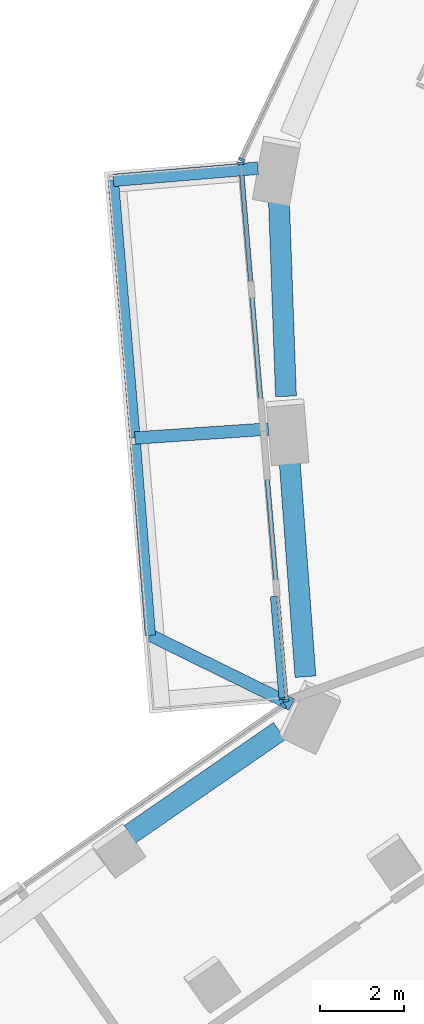
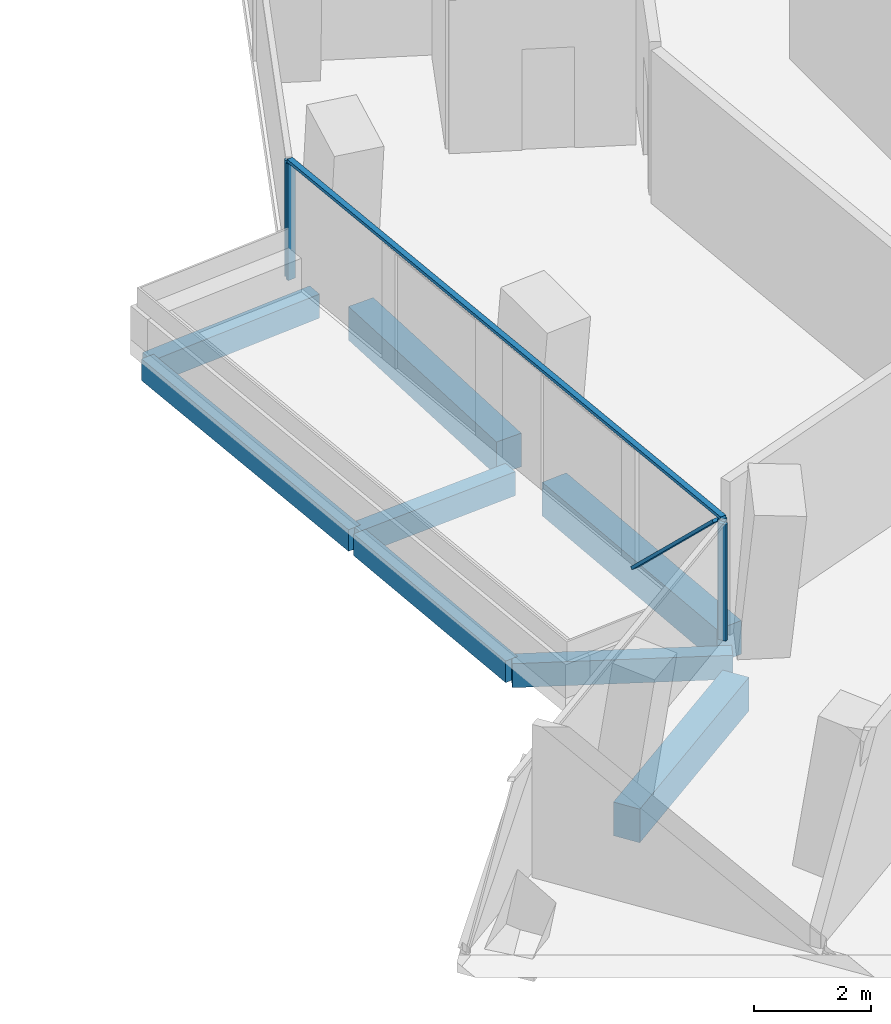
# One storey, part 4 of 26: 8 beams, 6 members, 3 elements without a shape of their own.
"""IFC4 building model written with IfcOpenShell, lengths in metres."""

from ifc_helpers import new_model, si_unit, direction, frame, origin, origin_2d, place, context, subcontext, project, spatial, rectangle, extrude, material, layer, layer_set, material_profile, profile_set, type_object, element, aggregate, save


model = new_model("IFC4")

# Units and contexts
model_context = context("Model", 3, precision=1e-05, world=origin(), true_north=direction((0.0, 1.0)))
body_context = subcontext(model_context, "Body", "Model", "MODEL_VIEW")
ifc_project = project(units=[si_unit("LENGTHUNIT", "METRE"), si_unit("AREAUNIT", "SQUARE_METRE"), si_unit("VOLUMEUNIT", "CUBIC_METRE"), si_unit("PLANEANGLEUNIT", "RADIAN"), si_unit("MASSUNIT", "GRAM", prefix="KILO")], contexts=[model_context])

# Site, building, storey
site_placement = place(None, origin())
site = spatial("IfcSite", under=ifc_project, at=site_placement, CompositionType="ELEMENT")
building_placement = place(site_placement, origin())
building = spatial("IfcBuilding", under=site, at=building_placement, Name="Verdalira Terraces Hotel", CompositionType="ELEMENT")
storey_placement = place(building_placement, frame((0.0, 0.0, 53.0)))
storey = spatial("IfcBuildingStorey", under=building, at=storey_placement, Name="L11", CompositionType="ELEMENT", Elevation=53.0)

# Beams
ifc_material_1 = material(Name="Concrete C40", Category="concrete")
ifc_material_profile_1 = material_profile(ifc_material_1, rectangle(XDim=0.300049, YDim=0.5, at=origin_2d()), Name="RC 300X500")
ifc_profile_set_1 = profile_set([ifc_material_profile_1], Name="Concrete C40")
beam_type_1 = type_object("IfcBeamType", Name="Balcony cantilever beam RC 300X500 C40", PredefinedType="BEAM", material=ifc_profile_set_1)
beam_1_placement = place(storey_placement, frame((-24.229248, 4.272949, -0.560059), z_axis=(-0.996492203, -0.083685654, 0.0), x_axis=(0.083685654, -0.996492203, 0.0)))
element("IfcBeam", 1, at=beam_1_placement, inside=storey, type_object=beam_type_1, Name="Balcony cantilever beam R13-1", PredefinedType="BEAM", context=body_context, shape_type="SweptSolid", body=[
    extrude(rectangle(XDim=0.300049, YDim=0.5, at=origin_2d()), origin(), (0.0, 0.0, 1.0), 3.47168),
])
beam_2_placement = place(storey_placement, frame((-23.977295, -1.970703, -0.560059), z_axis=(-0.997755019, -0.066969567, 0.0), x_axis=(0.066969567, -0.997755019, 0.0)))
element("IfcBeam", 2, at=beam_2_placement, inside=storey, type_object=beam_type_1, Name="Balcony cantilever beam R13-2", PredefinedType="BEAM", context=body_context, shape_type="SweptSolid", body=[
    extrude(rectangle(XDim=0.300049, YDim=0.5, at=origin_2d()), origin(), (0.0, 0.0, 1.0), 3.200684),
])
beam_3_placement = place(storey_placement, frame((-23.419189, -8.569336, -0.560059), z_axis=(-0.897578156, 0.440855365, 0.0), x_axis=(-0.440855365, -0.897578156, 0.0)))
element("IfcBeam", 3, at=beam_3_placement, inside=storey, type_object=beam_type_1, Name="Balcony cantilever beam R13-3", PredefinedType="BEAM", context=body_context, shape_type="SweptSolid", body=[
    extrude(rectangle(XDim=0.300049, YDim=0.5, at=origin_2d()), origin(), (0.0, 0.0, 1.0), 3.769531),
])
ifc_material_2 = material(Name="Concrete C40", Category="concrete")
ifc_material_profile_2 = material_profile(ifc_material_2, rectangle(XDim=0.25, YDim=0.449951, at=origin_2d()), Name="RC 250X450")
ifc_profile_set_2 = profile_set([ifc_material_profile_2], Name="Concrete C40")
beam_type_2 = type_object("IfcBeamType", Name="Balcony edge beam RC 250X450 C40", PredefinedType="BEAM", material=ifc_profile_set_2)
beam_4_placement = place(storey_placement, frame((-27.688721, 3.982422, -0.534912), z_axis=(0.083665724, -0.996493877, 0.0), x_axis=(0.996493877, 0.083665724, 0.0)))
element("IfcBeam", 4, at=beam_4_placement, inside=storey, type_object=beam_type_2, Name="Balcony edge beam R13-1", PredefinedType="BEAM", context=body_context, shape_type="SweptSolid", body=[
    extrude(rectangle(XDim=0.25, YDim=0.449951, at=origin_2d()), origin(), (0.0, 0.0, 1.0), 6.189209),
])
beam_5_placement = place(storey_placement, frame((-27.15918, -2.334717, -0.534912), z_axis=(0.077714069, -0.996975689, 0.0), x_axis=(0.996975689, 0.077714069, 0.0)))
element("IfcBeam", 5, at=beam_5_placement, inside=storey, type_object=beam_type_2, Name="Balcony edge beam R13-2", PredefinedType="BEAM", context=body_context, shape_type="SweptSolid", body=[
    extrude(rectangle(XDim=0.25, YDim=0.449951, at=origin_2d()), origin(), (0.0, 0.0, 1.0), 4.58667),
])

# Curtain wall, member
ifc_material_3 = material(Name="Clear glass", Category="glass")
ifc_layer_1 = layer(ifc_material_3, 0.14990234375)
ifc_layer_set_1 = layer_set([ifc_layer_1], Name="CW1 curtain wall")
curtain_wall_type_1 = type_object("IfcCurtainWallType", Name="CW1 curtain wall", PredefinedType="NOTDEFINED", material=ifc_layer_set_1)
curtain_wall_1_placement = place(storey_placement, origin())
curtain_wall_1 = element("IfcCurtainWall", 6, at=curtain_wall_1_placement, inside=storey, type_object=curtain_wall_type_1, Name="CW1 curtain wall L11 edge 12", PredefinedType="NOTDEFINED")
ifc_material_4 = material(Name="Terracotta frame", Category="masonry")
ifc_material_profile_3 = material_profile(ifc_material_4, rectangle(XDim=0.060059, YDim=0.149902, at=origin_2d()), Name="MU 60x150")
ifc_profile_set_3 = profile_set([ifc_material_profile_3], Name="Terracotta frame")
member_type_1 = type_object("IfcMemberType", Name="CW1 mullion 60x150", PredefinedType="MULLION", material=ifc_profile_set_3)
member_1_placement = place(storey_placement, frame((-24.619385, 4.479004, 0.0), z_axis=(0.0, 0.0, 1.0), x_axis=(-0.425779292, -0.904827052, 0.0)))
member_1 = element("IfcMember", 7, at=member_1_placement, type_object=member_type_1, Name="CW1 mullion", PredefinedType="MULLION", context=body_context, shape_type="SweptSolid", body=[
    extrude(rectangle(XDim=0.060059, YDim=0.149902, at=origin_2d()), origin(), (0.0, 0.0, 1.0), 2.425049),
])
aggregate(curtain_wall_1, [member_1])

# Curtain wall, members
curtain_wall_2_placement = place(storey_placement, origin())
curtain_wall_2 = element("IfcCurtainWall", 8, at=curtain_wall_2_placement, inside=storey, type_object=curtain_wall_type_1, Name="CW1 curtain wall L11 edge 13", PredefinedType="NOTDEFINED")
member_2_placement = place(storey_placement, frame((-24.636475, 4.383545, 0.0), z_axis=(0.0, 0.0, 1.0), x_axis=(0.083677843, -0.996492859, 0.0)))
member_2 = element("IfcMember", 9, at=member_2_placement, type_object=member_type_1, Name="CW1 mullion", PredefinedType="MULLION", context=body_context, shape_type="SweptSolid", body=[
    extrude(rectangle(XDim=0.060059, YDim=0.149902, at=origin_2d()), origin(), (0.0, 0.0, 1.0), 2.425049),
])
member_3_placement = place(storey_placement, frame((-23.557129, -8.470947, 0.0), z_axis=(0.0, 0.0, 1.0), x_axis=(0.083677843, -0.996492859, 0.0)))
member_3 = element("IfcMember", 10, at=member_3_placement, type_object=member_type_1, Name="CW1 mullion", PredefinedType="MULLION", context=body_context, shape_type="SweptSolid", body=[
    extrude(rectangle(XDim=0.060059, YDim=0.149902, at=origin_2d()), origin(), (0.0, 0.0, 1.0), 2.425049),
])
ifc_material_5 = material(Name="Terracotta frame", Category="masonry")
ifc_material_profile_4 = material_profile(ifc_material_5, rectangle(XDim=0.110107, YDim=0.064941, at=origin_2d()), Name="TR 65x110")
ifc_profile_set_4 = profile_set([ifc_material_profile_4], Name="Terracotta frame")
member_type_2 = type_object("IfcMemberType", Name="CW1 transom 65x110", PredefinedType="USERDEFINED", material=ifc_profile_set_4)
member_4_placement = place(storey_placement, frame((-24.63916, 4.413574, 2.45752), z_axis=(0.083679991, -0.996492679, 0.0), x_axis=(0.996492679, 0.083679991, 0.0)))
member_4 = element("IfcMember", 11, at=member_4_placement, type_object=member_type_2, Name="CW1 transom", ObjectType="TRANSOM", PredefinedType="USERDEFINED", context=body_context, shape_type="SweptSolid", body=[
    extrude(rectangle(XDim=0.110107, YDim=0.064941, at=origin_2d()), origin(), (0.0, 0.0, 1.0), 12.959717),
])

# Curtain wall, member
ifc_material_6 = material(Name="Clear glass", Category="glass")
ifc_layer_2 = layer(ifc_material_6, 0.14990234375)
ifc_layer_set_2 = layer_set([ifc_layer_2], Name="CW2 curtain wall")
curtain_wall_type_2 = type_object("IfcCurtainWallType", Name="CW2 curtain wall", PredefinedType="NOTDEFINED", material=ifc_layer_set_2)
curtain_wall_3_placement = place(storey_placement, origin())
curtain_wall_3 = element("IfcCurtainWall", 12, at=curtain_wall_3_placement, inside=storey, type_object=curtain_wall_type_2, Name="CW2 curtain wall L11 edge 14", PredefinedType="NOTDEFINED")
ifc_material_7 = material(Name="Terracotta frame", Category="masonry")
ifc_material_profile_5 = material_profile(ifc_material_7, rectangle(XDim=0.070068, YDim=0.149902, at=origin_2d()), Name="MU 70x150")
ifc_profile_set_5 = profile_set([ifc_material_profile_5], Name="Terracotta frame")
member_type_3 = type_object("IfcMemberType", Name="CW2 mullion 70x150", PredefinedType="MULLION", material=ifc_profile_set_5)
member_5_placement = place(storey_placement, frame((-23.615234, -8.588623, 0.0), z_axis=(0.0, 0.0, 1.0), x_axis=(-0.821149209, -0.570713568, 0.0)))
member_5 = element("IfcMember", 13, at=member_5_placement, type_object=member_type_3, Name="CW2 mullion", PredefinedType="MULLION", context=body_context, shape_type="SweptSolid", body=[
    extrude(rectangle(XDim=0.070068, YDim=0.149902, at=origin_2d()), origin(), (0.0, 0.0, 1.0), 2.425049),
])
aggregate(curtain_wall_3, [member_5])

# Member
ifc_material_8 = material(Name="Terracotta frame", Category="masonry")
ifc_material_profile_6 = material_profile(ifc_material_8, rectangle(XDim=0.149902, YDim=0.060059, at=origin_2d()), Name="GB 60x150")
ifc_profile_set_6 = profile_set([ifc_material_profile_6], Name="Terracotta frame")
member_type_4 = type_object("IfcMemberType", Name="Diagonal glazing bar 60x150", PredefinedType="USERDEFINED", material=ifc_profile_set_6)
member_6_placement = place(storey_placement, frame((-23.85376, -6.000977, 0.022949), z_axis=(0.059765292, -0.712448199, 0.699174995), x_axis=(0.99649993, 0.083593599, 0.0)))
member_6 = element("IfcMember", 14, at=member_6_placement, type_object=member_type_4, Name="Diagonal glazing bar", ObjectType="GLAZING BAR", PredefinedType="USERDEFINED", context=body_context, shape_type="SweptSolid", body=[
    extrude(rectangle(XDim=0.149902, YDim=0.060059, at=origin_2d()), origin(), (0.0, 0.0, 1.0), 3.402832),
])

aggregate(curtain_wall_2, [member_2, member_3, member_4, member_6])

# Beams
ifc_material_9 = material(Name="Concrete C70", Category="concrete")
ifc_material_profile_7 = material_profile(ifc_material_9, rectangle(XDim=0.5, YDim=0.699951, at=origin_2d()), Name="RC 500X700")
ifc_profile_set_7 = profile_set([ifc_material_profile_7], Name="Concrete C70")
beam_type_3 = type_object("IfcBeamType", Name="Spandrel beam RC 500X700 C70", PredefinedType="SPANDREL", material=ifc_profile_set_7)
beam_6_placement = place(storey_placement, frame((-23.727295, 3.568115, -0.659912), z_axis=(0.03585804, -0.999356894, 0.0), x_axis=(0.999356894, 0.03585804, 0.0)))
element("IfcBeam", 15, at=beam_6_placement, inside=storey, type_object=beam_type_3, Name="Spandrel beam B12", PredefinedType="SPANDREL", context=body_context, shape_type="SweptSolid", body=[
    extrude(rectangle(XDim=0.5, YDim=0.699951, at=origin_2d()), origin(), (0.0, 0.0, 1.0), 4.759277),
])
beam_7_placement = place(storey_placement, frame((-23.479736, -2.602051, -0.659912), z_axis=(0.073258841, -0.997312961, 0.0), x_axis=(0.997312961, 0.073258841, 0.0)))
element("IfcBeam", 16, at=beam_7_placement, inside=storey, type_object=beam_type_3, Name="Spandrel beam B13", PredefinedType="SPANDREL", context=body_context, shape_type="SweptSolid", body=[
    extrude(rectangle(XDim=0.5, YDim=0.699951, at=origin_2d()), origin(), (0.0, 0.0, 1.0), 5.312012),
])
beam_8_placement = place(storey_placement, frame((-23.713135, -9.200928, -0.659912), z_axis=(-0.82298192, -0.568067566, 0.0), x_axis=(0.568067566, -0.82298192, 0.0)))
element("IfcBeam", 17, at=beam_8_placement, inside=storey, type_object=beam_type_3, Name="Spandrel beam B14", PredefinedType="SPANDREL", context=body_context, shape_type="SweptSolid", body=[
    extrude(rectangle(XDim=0.5, YDim=0.699951, at=origin_2d()), origin(), (0.0, 0.0, 1.0), 4.347168),
])

save(model, "model.ifc")
